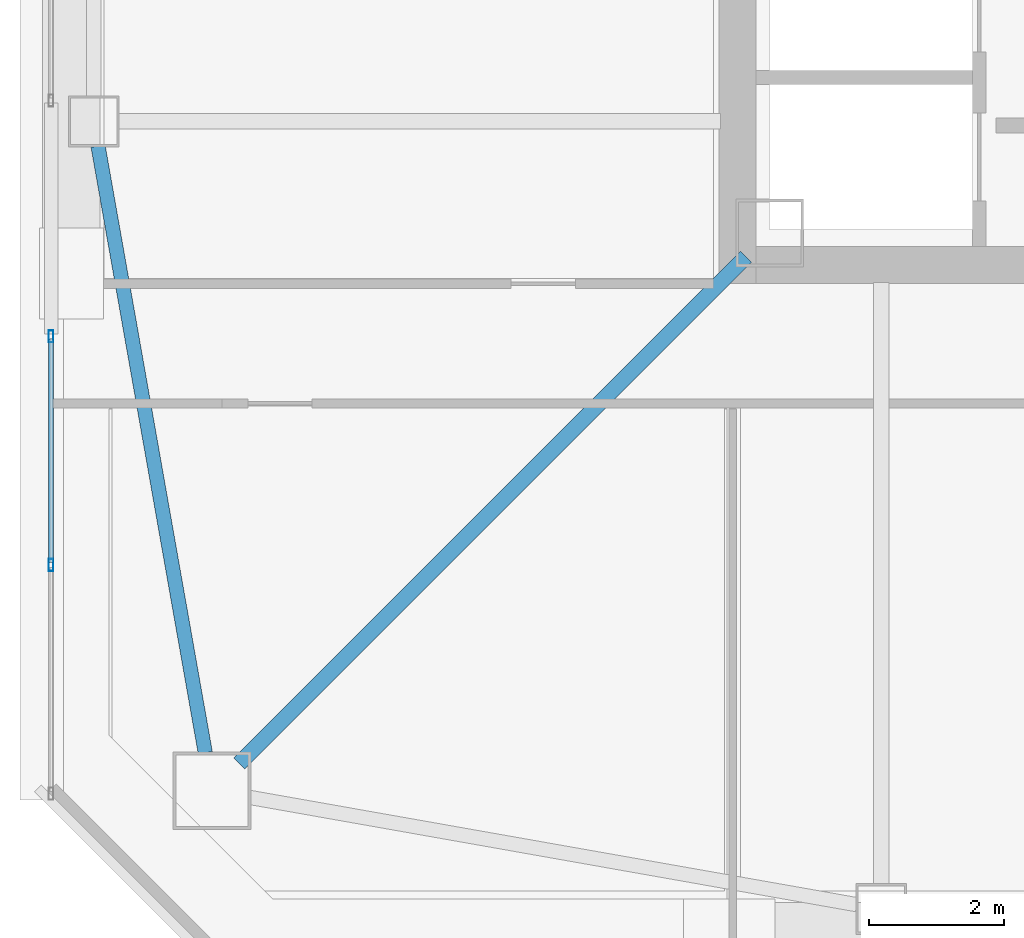
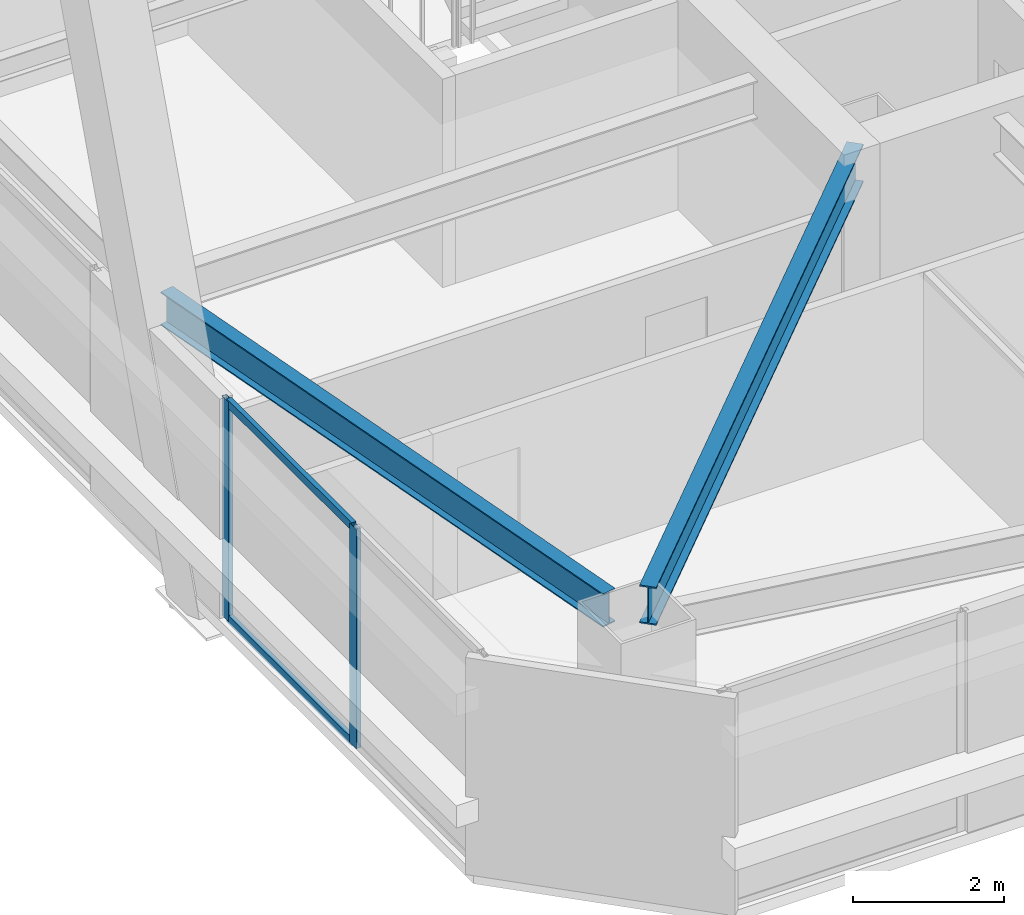
# One storey, part 5 of 55: 4 members, 2 beams, 1 element without a shape of its own.
"""IFC4 building model written with IfcOpenShell, lengths in metres."""

from ifc_helpers import new_model, si_unit, direction, frame, origin, origin_2d, place, context, subcontext, project, spatial, hollow_rectangle, i_section, extrude, material, material_profile, profile_set, type_object, element, aggregate, save


model = new_model("IFC4")

# Units and contexts
model_context = context("Model", 3, precision=1e-05, world=origin(), true_north=direction((0.0, 1.0)))
body_context = subcontext(model_context, "Body", "Model", "MODEL_VIEW")
ifc_project = project(units=[si_unit("LENGTHUNIT", "METRE"), si_unit("AREAUNIT", "SQUARE_METRE"), si_unit("VOLUMEUNIT", "CUBIC_METRE"), si_unit("PLANEANGLEUNIT", "RADIAN"), si_unit("MASSUNIT", "GRAM", prefix="KILO")], contexts=[model_context])

# Site, building, storey
site_placement = place(None, origin())
site = spatial("IfcSite", under=ifc_project, at=site_placement, CompositionType="ELEMENT")
building_placement = place(site_placement, origin())
building = spatial("IfcBuilding", under=site, at=building_placement, Name="Tashvorn Skyway Center", CompositionType="ELEMENT")
storey_placement = place(building_placement, frame((0.0, 0.0, 178.300048828125)))
storey = spatial("IfcBuildingStorey", under=building, at=storey_placement, Name="L48", CompositionType="ELEMENT", Elevation=178.300048828125)

# Beams
ifc_material_1 = material(Name="Steel ASTM A992 Grade 50", Category="steel")
ifc_material_profile_1 = material_profile(ifc_material_1, i_section(OverallWidth=0.22998046875, OverallDepth=0.616943359375, WebThickness=0.01318359375, FlangeThickness=0.022216796875, at=origin_2d()), Name="W24X94")
ifc_profile_set_1 = profile_set([ifc_material_profile_1], Name="Steel ASTM A992 Grade 50")
beam_type_1 = type_object("IfcBeamType", Name="BM-BEAM-W24X94", PredefinedType="BEAM", material=ifc_profile_set_1)
beam_1_placement = place(storey_placement, frame((27.10302734375, 17.10302734375, 3.0615234375), z_axis=(0.707106781187, 0.707106781187, 0.0), x_axis=(-0.707106781187, 0.707106781187, 0.0)))
element("IfcBeam", 1, at=beam_1_placement, inside=storey, type_object=beam_type_1, Name="Tower 1 L48 Primary Floor Girder MC-SW", PredefinedType="BEAM", context=body_context, shape_type="SweptSolid", body=[
    extrude(i_section(OverallWidth=0.22998046875, OverallDepth=0.616943359375, WebThickness=0.01318359375, FlangeThickness=0.022216796875, at=origin_2d()), origin(), (0.0, 0.0, 1.0), 10.6025390625),
])
ifc_material_profile_2 = material_profile(ifc_material_1, i_section(OverallWidth=0.2109375, OverallDepth=0.5390625, WebThickness=0.01171875, FlangeThickness=0.018798828125, at=origin_2d()), Name="W21X73")
ifc_profile_set_2 = profile_set([ifc_material_profile_2], Name="Steel ASTM A992 Grade 50")
beam_type_2 = type_object("IfcBeamType", Name="BM-SPANDREL-W21X73", PredefinedType="SPANDREL", material=ifc_profile_set_2)
beam_2_placement = place(storey_placement, frame((25.014404296875, 26.235595703125, 3.100341796875), z_axis=(0.174074160933, -0.984732545667, 0.0), x_axis=(0.984732545667, 0.174074160933, 0.0)))
element("IfcBeam", 2, at=beam_2_placement, inside=storey, type_object=beam_type_2, Name="Tower 1 L48 Spandrel Beam 12", PredefinedType="SPANDREL", context=body_context, shape_type="SweptSolid", body=[
    extrude(i_section(OverallWidth=0.2109375, OverallDepth=0.5390625, WebThickness=0.01171875, FlangeThickness=0.018798828125, at=origin_2d()), origin(), (0.0, 0.0, 1.0), 9.113525390625),
])

# Curtain wall, members
ifc_material_2 = material(Name="Thermally broken bronze-anodized aluminium 6063-T6", Category="aluminium")
curtain_wall_type = type_object("IfcCurtainWallType", Name="CW-CW-Z4", PredefinedType="NOTDEFINED", material=ifc_material_2)
curtain_wall_placement = place(storey_placement, origin())
curtain_wall = element("IfcCurtainWall", 3, at=curtain_wall_placement, inside=storey, type_object=curtain_wall_type, Name="Tower 1 L48 West Unitised Curtain Wall Glazing Group 1", PredefinedType="NOTDEFINED")
ifc_material_profile_3 = material_profile(ifc_material_2, hollow_rectangle(XDim=0.070068359375, YDim=0.179931640625, WallThickness=0.00390625, at=origin_2d()), Name="ALU-MULL-70x180")
ifc_profile_set_3 = profile_set([ifc_material_profile_3], Name="Thermally broken bronze-anodized aluminium 6063-T6")
member_type_1 = type_object("IfcMemberType", Name="CWM-CW-Z4", PredefinedType="MULLION", material=ifc_profile_set_3)
member_1_placement = place(storey_placement, frame((24.320068359375, 20.037841796875, 0.0), z_axis=(0.0, 0.0, 1.0), x_axis=(-1.0, 0.0, 0.0)))
member_1 = element("IfcMember", 4, at=member_1_placement, type_object=member_type_1, Name="CW-Z4 mullion 2", PredefinedType="MULLION", context=body_context, shape_type="SweptSolid", body=[
    extrude(hollow_rectangle(XDim=0.070068359375, YDim=0.179931640625, WallThickness=0.00390625, at=origin_2d()), origin(), (0.0, 0.0, 1.0), 3.550048828125),
])
member_2_placement = place(storey_placement, frame((24.320068359375, 23.420654296875, 0.0), z_axis=(0.0, 0.0, 1.0), x_axis=(-1.0, 0.0, 0.0)))
member_2 = element("IfcMember", 5, at=member_2_placement, type_object=member_type_1, Name="CW-Z4 mullion 3", PredefinedType="MULLION", context=body_context, shape_type="SweptSolid", body=[
    extrude(hollow_rectangle(XDim=0.070068359375, YDim=0.179931640625, WallThickness=0.00390625, at=origin_2d()), origin(), (0.0, 0.0, 1.0), 3.550048828125),
])
ifc_material_profile_4 = material_profile(ifc_material_2, hollow_rectangle(XDim=0.070068359375, YDim=0.1298828125, WallThickness=0.00390625, at=origin_2d()), Name="ALU-TRAN-70x130")
ifc_profile_set_4 = profile_set([ifc_material_profile_4], Name="Thermally broken bronze-anodized aluminium 6063-T6")
member_type_2 = type_object("IfcMemberType", Name="CWT-CW-Z4", PredefinedType="USERDEFINED", material=ifc_profile_set_4)
member_3_placement = place(storey_placement, frame((24.320068359375, 20.07275390625, 0.034912109375), z_axis=(0.0, 1.0, 0.0), x_axis=(-1.0, 0.0, 0.0)))
member_3 = element("IfcMember", 6, at=member_3_placement, type_object=member_type_2, Name="CW-Z4 transom 2.1", ObjectType="TRANSOM", PredefinedType="USERDEFINED", context=body_context, shape_type="SweptSolid", body=[
    extrude(hollow_rectangle(XDim=0.070068359375, YDim=0.1298828125, WallThickness=0.00390625, at=origin_2d()), origin(), (0.0, 0.0, 1.0), 3.312744140625),
])
member_4_placement = place(storey_placement, frame((24.320068359375, 20.07275390625, 3.514892578125), z_axis=(0.0, 1.0, 0.0), x_axis=(-1.0, 0.0, 0.0)))
member_4 = element("IfcMember", 7, at=member_4_placement, type_object=member_type_2, Name="CW-Z4 transom 2.2", ObjectType="TRANSOM", PredefinedType="USERDEFINED", context=body_context, shape_type="SweptSolid", body=[
    extrude(hollow_rectangle(XDim=0.070068359375, YDim=0.1298828125, WallThickness=0.00390625, at=origin_2d()), origin(), (0.0, 0.0, 1.0), 3.312744140625),
])
aggregate(curtain_wall, [member_1, member_2, member_3, member_4])

save(model, "model.ifc")
